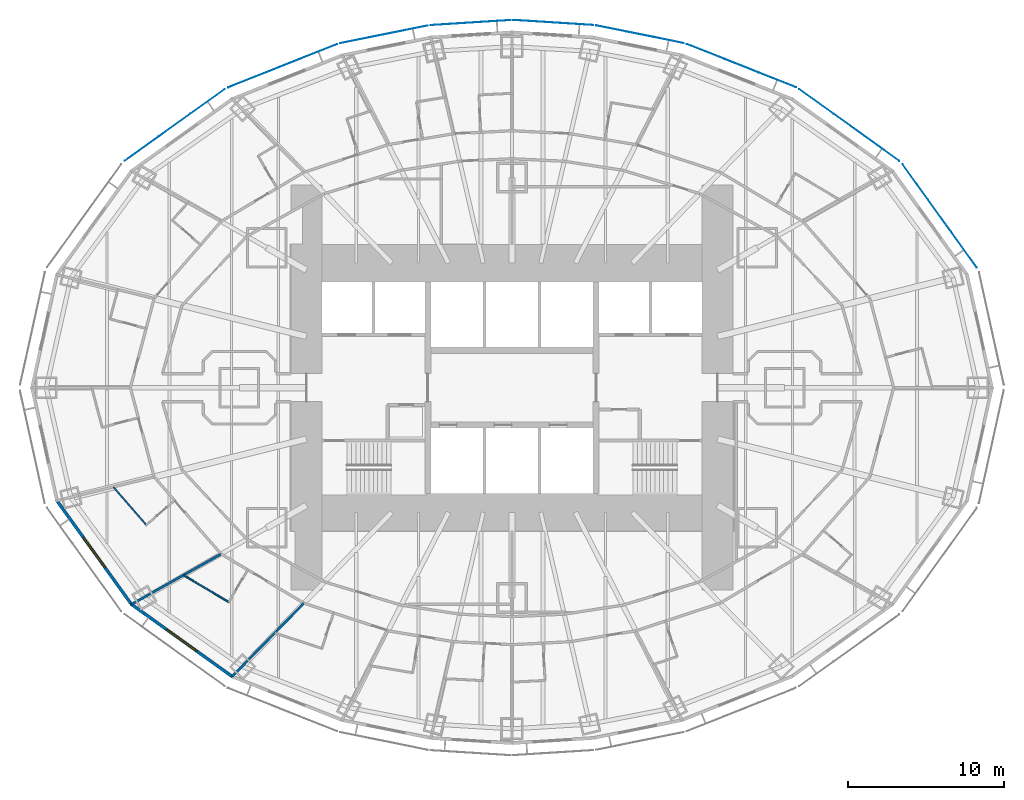
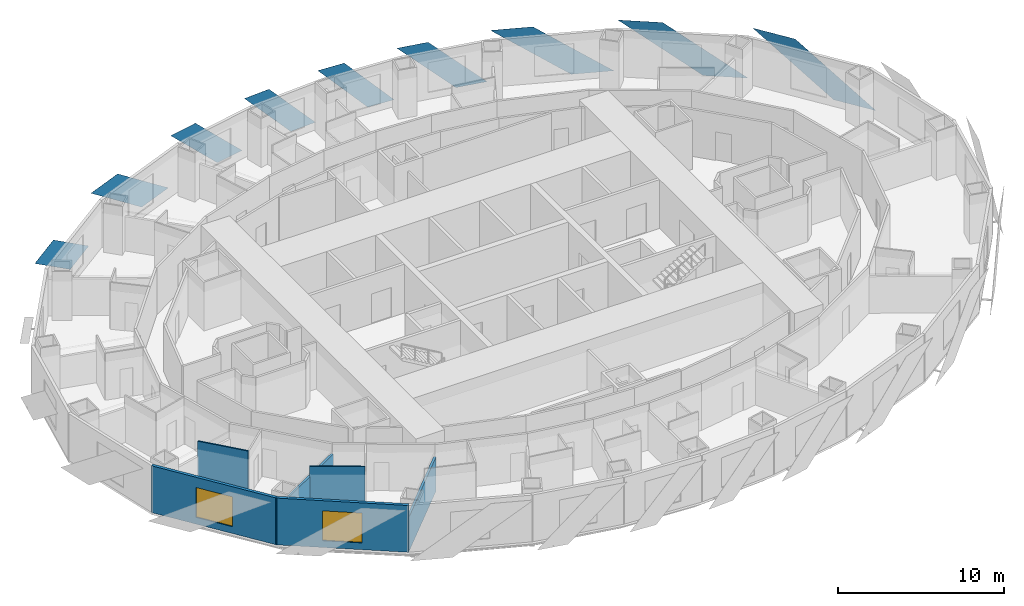
# One storey, part 4 of 15: 9 plates, 6 walls, 2 windows, 2 openings.
"""IFC4 building model written with IfcOpenShell, lengths in metres."""

from ifc_helpers import new_model, si_unit, direction, frame, frame_2d, origin, place, context, subcontext, project, spatial, polyline, rectangle, outline, extrude, material, layer, layer_set, type_object, element, fill, save


model = new_model("IFC4")

# Units and contexts
model_context = context("Model", 3, precision=1e-05, world=origin(), true_north=direction((0.0, 1.0)))
body_context = subcontext(model_context, "Body", "Model", "MODEL_VIEW")
ifc_project = project(units=[si_unit("LENGTHUNIT", "METRE"), si_unit("AREAUNIT", "SQUARE_METRE"), si_unit("VOLUMEUNIT", "CUBIC_METRE"), si_unit("PLANEANGLEUNIT", "RADIAN"), si_unit("MASSUNIT", "GRAM", prefix="KILO")], contexts=[model_context])

# Site, building, storey
site_placement = place(None, origin())
site = spatial("IfcSite", under=ifc_project, at=site_placement, CompositionType="ELEMENT")
building_placement = place(site_placement, origin())
building = spatial("IfcBuilding", under=site, at=building_placement, Name="Lantaw Convention Tower", CompositionType="ELEMENT")
storey_placement = place(building_placement, frame((0.0, 0.0, 62.199951171875)))
storey = spatial("IfcBuildingStorey", under=building, at=storey_placement, Name="L13", CompositionType="ELEMENT", Elevation=62.199951171875)

# Plates
ifc_material_1 = material(Name="Perforated aluminium sheet, pale silver finish", Category="aluminium")
ifc_layer_1 = layer(ifc_material_1, 0.006103515625)
ifc_layer_set_1 = layer_set([ifc_layer_1], Name="Perforated aluminium solar SCREEN panel")
plate_type = type_object("IfcPlateType", Name="Perforated aluminium solar SCREEN panel", PredefinedType="SHEET", material=ifc_layer_set_1)
plate_1_placement = place(storey_placement, frame((29.847900390625, 7.720947265625, -0.175048828125), z_axis=(0.811791382613, 0.583947558463, 9.019268e-06), x_axis=(-0.583947558486, 0.811791382646, 0.0)))
element("IfcPlate", 1, at=plate_1_placement, inside=storey, type_object=plate_type, Name="Solar SCREEN panel", PredefinedType="SHEET", context=body_context, shape_type="SweptSolid", body=[
    extrude(outline(polyline([(0.0, 0.0), (2.809541672291133, 0.0), (8.163093158837512, 3.739990234527119), (5.353551486546379, 3.739990234527119), (0.0, 0.0)])), origin(), (0.0, 0.0, -1.0), 0.006103515625),
])
plate_2_placement = place(storey_placement, frame((24.872314453125, 14.555908203125, -0.175048828125), z_axis=(0.582561421998, 0.812786681331, 1.5819417e-05), x_axis=(-0.812786681433, 0.582561422071, 0.0)))
element("IfcPlate", 2, at=plate_2_placement, inside=storey, type_object=plate_type, Name="Solar SCREEN panel", PredefinedType="SHEET", context=body_context, shape_type="SweptSolid", body=[
    extrude(outline(polyline([(0.0, 0.0), (2.721095180812288, 3.3881317890172014e-21), (7.903118572410756, 3.739990234842974), (5.182023391598468, 3.739990234842974), (0.0, 0.0)])), origin(), (0.0, 0.0, -1.0), 0.006103515625),
])
plate_3_placement = place(storey_placement, frame((18.232177734375, 19.278076171875, -0.175048828125), z_axis=(-0.369183532846, -0.929356508016, 9.163296e-06), x_axis=(-0.929356508055, 0.369183532862, 0.0)))
element("IfcPlate", 3, at=plate_3_placement, inside=storey, type_object=plate_type, Name="Solar SCREEN panel", PredefinedType="SHEET", context=body_context, shape_type="SweptSolid", body=[
    extrude(outline(polyline([(0.0, 0.0), (2.594936467166582, -1.6940658945086007e-21), (7.5321069917580825, -3.739990234532016), (4.937170524591499, -3.739990234532016), (0.0, 0.0)])), origin(), (0.0, 0.0, -1.0), 0.006103515625),
])
plate_4_placement = place(storey_placement, frame((11.03271484375, 22.117919921875, -0.175048828125), z_axis=(-0.197781876197, -0.980246055561, 2.418535e-06), x_axis=(-0.980246055563, 0.197781876198, 1.46e-10)))
element("IfcPlate", 4, at=plate_4_placement, inside=storey, type_object=plate_type, Name="Solar SCREEN panel", PredefinedType="SHEET", context=body_context, shape_type="SweptSolid", body=[
    extrude(outline(polyline([(0.0, 0.0), (1.9867801772236329, -3.1763735522036263e-22), (5.743587245978565, -3.7399902335493134), (3.7568553553458006, -3.739990234128105), (0.0, 0.0)])), origin(), (0.0, 0.0, -1.0), 0.006103515625),
])
plate_5_placement = place(storey_placement, frame((5.221923828125, 23.27783203125, -0.175048828125), z_axis=(-0.062923905251, -0.998018327468, 1.3605496e-05), x_axis=(-0.998018327561, 0.062923905257, 9.3e-10)))
element("IfcPlate", 5, at=plate_5_placement, inside=storey, type_object=plate_type, Name="Solar SCREEN panel", PredefinedType="SHEET", context=body_context, shape_type="SweptSolid", body=[
    extrude(outline(polyline([(0.0, 0.0), (1.7828375409377817, -2.117582368135751e-22), (5.143985963027618, -3.739990229938699), (3.3611637843713935, -3.7399902332537565), (0.0, 0.0)])), origin(), (0.0, 0.0, -1.0), 0.006103515625),
])
plate_6_placement = place(storey_placement, frame((-0.088134765625, 23.6015625, -0.175048828125), z_axis=(-0.062923905251, 0.998018327468, 1.3605496e-05), x_axis=(-0.998018327561, -0.062923905257, -9.3e-10)))
element("IfcPlate", 6, at=plate_6_placement, inside=storey, type_object=plate_type, Name="Solar SCREEN panel", PredefinedType="SHEET", context=body_context, shape_type="SweptSolid", body=[
    extrude(outline(polyline([(0.0, 0.0), (1.782822178656225, -2.117582368135751e-22), (5.143985956073316, 3.7399902395036517), (3.3611484151355353, 3.7399902361885653), (0.0, 0.0)])), origin(), (0.0, 0.0, -1.0), 0.006103515625),
])
plate_7_placement = place(storey_placement, frame((-5.402587890625, 23.25390625, -0.175048828125), z_axis=(-0.197781876197, 0.980246055561, 2.418535e-06), x_axis=(-0.980246055563, -0.197781876198, -1.46e-10)))
element("IfcPlate", 7, at=plate_7_placement, inside=storey, type_object=plate_type, Name="Solar SCREEN panel", PredefinedType="SHEET", context=body_context, shape_type="SweptSolid", body=[
    extrude(outline(polyline([(0.0, 0.0), (1.9867318906327642, 1.0587911840678754e-22), (5.743587244888999, 3.7399902352225842), (3.7568070676653664, 3.7399902346437783), (0.0, 0.0)])), origin(), (0.0, 0.0, -1.0), 0.006103515625),
])
plate_8_placement = place(storey_placement, frame((-11.232177734375, 22.058837890625, -0.175048828125), z_axis=(-0.369183532846, 0.929356508016, 9.163296e-06), x_axis=(-0.929356508055, -0.369183532862, 0.0)))
element("IfcPlate", 8, at=plate_8_placement, inside=storey, type_object=plate_type, Name="Solar SCREEN panel", PredefinedType="SHEET", context=body_context, shape_type="SweptSolid", body=[
    extrude(outline(polyline([(0.0, 0.0), (2.594936467166582, 1.6940658945086007e-21), (7.5321069917580825, 3.739990234532016), (4.937170524591499, 3.739990234532016), (0.0, 0.0)])), origin(), (0.0, 0.0, -1.0), 0.006103515625),
])
plate_9_placement = place(storey_placement, frame((-18.44873046875, 19.159912109375, -0.175048828125), z_axis=(0.582561421998, -0.812786681331, 1.5819417e-05), x_axis=(-0.812786681433, -0.582561422071, 0.0)))
element("IfcPlate", 9, at=plate_9_placement, inside=storey, type_object=plate_type, Name="Solar SCREEN panel", PredefinedType="SHEET", context=body_context, shape_type="SweptSolid", body=[
    extrude(outline(polyline([(0.0, 0.0), (2.721095180812288, -3.3881317890172014e-21), (7.903118572410756, -3.739990234842974), (5.182023391598468, -3.739990234842974), (0.0, 0.0)])), origin(), (0.0, 0.0, -1.0), 0.006103515625),
])

# Walls
ifc_material_2 = material(Name="Moisture resistant gypsum board on steel studs", Category="steel")
ifc_layer_2 = layer(ifc_material_2, 0.10009765625)
ifc_layer_set_2 = layer_set([ifc_layer_2], Name="Bathroom wall 100")
wall_type_1 = type_object("IfcWallType", Name="Bathroom wall 100", PredefinedType="PARTITIONING", material=ifc_layer_set_2)
wall_1_placement = place(storey_placement, frame((-23.47705078125, -8.812255859375, 0.0), z_axis=(0.0, 0.0, 1.0), x_axis=(-0.655596826012, 0.755111118792, 0.0)))
element("IfcWall", 10, at=wall_1_placement, inside=storey, type_object=wall_type_1, Name="Bathroom wall 100", PredefinedType="PARTITIONING", context=body_context, shape_type="SweptSolid", body=[
    extrude(rectangle(XDim=3.22119140625, YDim=0.10009765625, at=frame_2d((1.610595703125, 0.0))), origin(), (0.0, 0.0, 1.0), 3.449951171875),
])
wall_2_placement = place(storey_placement, frame((-18.185302734375, -13.759521484375, 0.0), z_axis=(0.0, 0.0, 1.0), x_axis=(-0.860146437071, 0.510047161343, 0.0)))
element("IfcWall", 11, at=wall_2_placement, inside=storey, type_object=wall_type_1, Name="Bathroom wall 100", PredefinedType="PARTITIONING", context=body_context, shape_type="SweptSolid", body=[
    extrude(rectangle(XDim=3.362548828125, YDim=0.10009765625, at=frame_2d((1.68115234375, 0.0))), origin(), (0.0, 0.0, 1.0), 3.449951171875),
])

# Wall, opening, window
ifc_material_3 = material(Name="Insulated aluminium panel on steel frame", Category="steel")
ifc_layer_3 = layer(ifc_material_3, 0.199951171875)
ifc_layer_set_3 = layer_set([ifc_layer_3], Name="External wall 200")
wall_type_2 = type_object("IfcWallType", Name="External wall 200", PredefinedType="SOLIDWALL", material=ifc_layer_set_3)
wall_3_placement = place(storey_placement, frame((-29.260498046875, -7.199951171875, 0.0), z_axis=(0.0, 0.0, 1.0), x_axis=(0.583937613703, -0.811798536155, 0.0)))
wall_3 = element("IfcWall", 12, at=wall_3_placement, inside=storey, type_object=wall_type_2, Name="Facade panel wall", PredefinedType="SOLIDWALL", context=body_context, shape_type="SweptSolid", body=[
    extrude(rectangle(XDim=8.322998046875, YDim=0.199951171875, at=frame_2d((4.16162109375, 0.0))), origin(), (0.0, 0.0, 1.0), 3.449951171875),
])
opening_1_placement = place(wall_3_placement, frame((2.96142578125, 0.0, 0.5)))
opening_1 = element("IfcOpeningElement", 13, at=opening_1_placement, cuts=wall_3, Name="Opening W1", PredefinedType="OPENING", context=body_context, shape_type="SweptSolid", body=[
    extrude(rectangle(XDim=2.39990234375, YDim=2.199951171875, at=frame_2d((1.199951171875, 1.10009765625))), frame((0.0, 0.10986328125, 0.0), z_axis=(0.0, -1.0, 0.0), x_axis=(1.0, 0.0, 0.0)), (0.0, 0.0, 1.0), 0.219970703125),
])
ifc_material_4 = material(Name="Aluminium frame, clear insulating glass", Category="aluminium")
window_type = type_object("IfcWindowType", Name="Guest room window 2400x2200", PartitioningType="SINGLE_PANEL", PredefinedType="WINDOW", material=ifc_material_4)
window_1_placement = place(opening_1_placement, origin())
window_1 = element("IfcWindow", 14, at=window_1_placement, inside=storey, type_object=window_type, Name="Guest room window", OverallHeight=2.199951171875, OverallWidth=2.39990234375, PartitioningType="SINGLE_PANEL", PredefinedType="WINDOW", context=body_context, shape_type="SweptSolid", body=[
    extrude(rectangle(XDim=2.39990234375, YDim=2.199951171875, at=frame_2d((1.199951171875, 1.10009765625))), frame((0.0, 0.030029296875, 0.0), z_axis=(0.0, -1.0, 0.0), x_axis=(1.0, 0.0, 0.0)), (0.0, 0.0, 1.0), 0.06005859375),
])
fill(opening_1, window_1)

wall_4_placement = place(storey_placement, frame((-24.482421875, -13.87451171875, 0.0), z_axis=(0.0, 0.0, 1.0), x_axis=(0.812791321576, -0.582554948112, 0.0)))
wall_4 = element("IfcWall", 15, at=wall_4_placement, inside=storey, type_object=wall_type_2, Name="Facade panel wall", PredefinedType="SOLIDWALL", context=body_context, shape_type="SweptSolid", body=[
    extrude(rectangle(XDim=8.063232421875, YDim=0.199951171875, at=frame_2d((4.03173828125, 0.0))), origin(), (0.0, 0.0, 1.0), 3.449951171875),
])
opening_2_placement = place(wall_4_placement, frame((2.83154296875, 0.0, 0.5)))
opening_2 = element("IfcOpeningElement", 16, at=opening_2_placement, cuts=wall_4, Name="Opening W1", PredefinedType="OPENING", context=body_context, shape_type="SweptSolid", body=[
    extrude(rectangle(XDim=2.39990234375, YDim=2.199951171875, at=frame_2d((1.199951171875, 1.10009765625))), frame((0.0, 0.10986328125, 0.0), z_axis=(0.0, -1.0, 0.0), x_axis=(1.0, 0.0, 0.0)), (0.0, 0.0, 1.0), 0.219970703125),
])
window_2_placement = place(opening_2_placement, origin())
window_2 = element("IfcWindow", 17, at=window_2_placement, inside=storey, type_object=window_type, Name="Guest room window", OverallHeight=2.199951171875, OverallWidth=2.39990234375, PartitioningType="SINGLE_PANEL", PredefinedType="WINDOW", context=body_context, shape_type="SweptSolid", body=[
    extrude(rectangle(XDim=2.39990234375, YDim=2.199951171875, at=frame_2d((1.199951171875, 1.10009765625))), frame((0.0, 0.030029296875, 0.0), z_axis=(0.0, -1.0, 0.0), x_axis=(1.0, 0.0, 0.0)), (0.0, 0.0, 1.0), 0.06005859375),
])
fill(opening_2, window_2)

# Walls
ifc_material_5 = material(Name="Gypsum board on steel studs, acoustic", Category="steel")
ifc_layer_4 = layer(ifc_material_5, 0.14990234375)
ifc_layer_set_4 = layer_set([ifc_layer_4], Name="Guest room party wall 150")
wall_type_3 = type_object("IfcWallType", Name="Guest room party wall 150", PredefinedType="PARTITIONING", material=ifc_layer_set_4)
wall_5_placement = place(storey_placement, frame((-24.434814453125, -13.90869140625, 0.0), z_axis=(0.0, 0.0, 1.0), x_axis=(0.871747379892, 0.489955616001, 0.0)))
element("IfcWall", 18, at=wall_5_placement, inside=storey, type_object=wall_type_3, Name="Guest room party wall 150", PredefinedType="PARTITIONING", context=body_context, shape_type="SweptSolid", body=[
    extrude(rectangle(XDim=6.599853515625, YDim=0.14990234375, at=frame_2d((3.2998046875, 0.0))), origin(), (0.0, 0.0, 1.0), 2.693115234375),
])
wall_6_placement = place(storey_placement, frame((-17.970458984375, -18.541748046875, 0.0), z_axis=(0.0, 0.0, 1.0), x_axis=(0.699736251994, 0.714401272147, 0.0)))
element("IfcWall", 19, at=wall_6_placement, inside=storey, type_object=wall_type_3, Name="Guest room party wall 150", PredefinedType="PARTITIONING", context=body_context, shape_type="SweptSolid", body=[
    extrude(rectangle(XDim=6.592529296875, YDim=0.14990234375, at=frame_2d((3.29638671875, 0.0))), origin(), (0.0, 0.0, 1.0), 2.528076171875),
])

save(model, "model.ifc")
